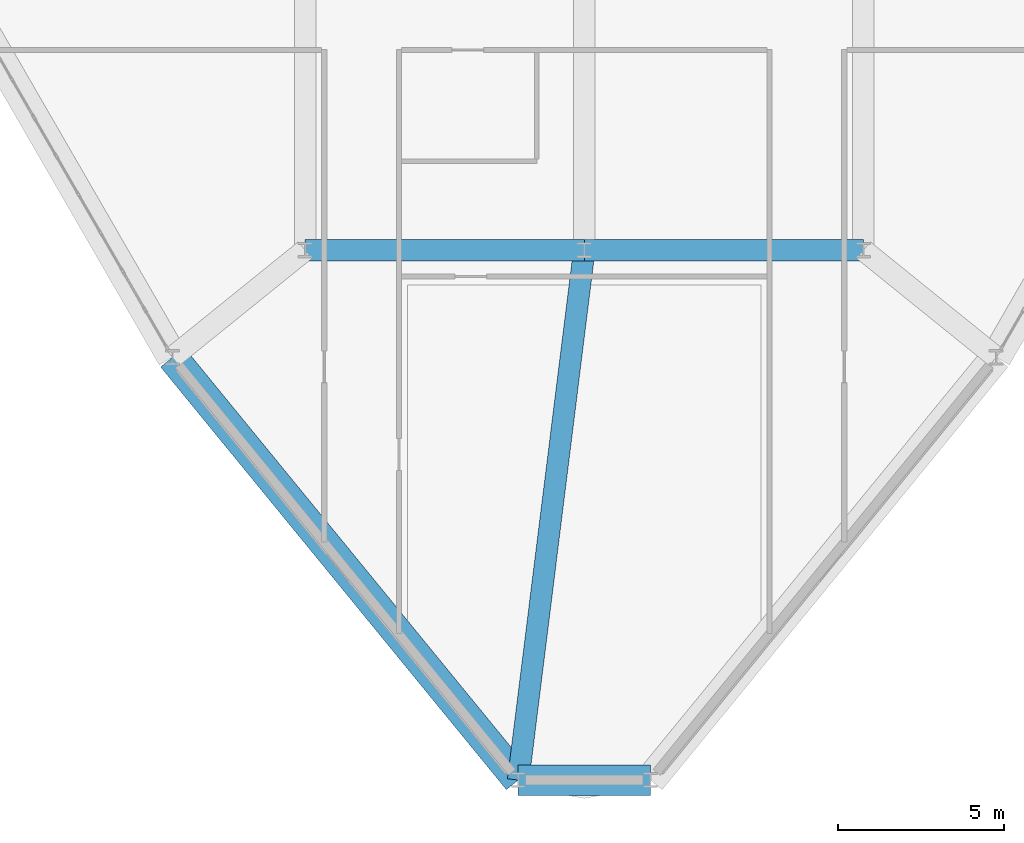
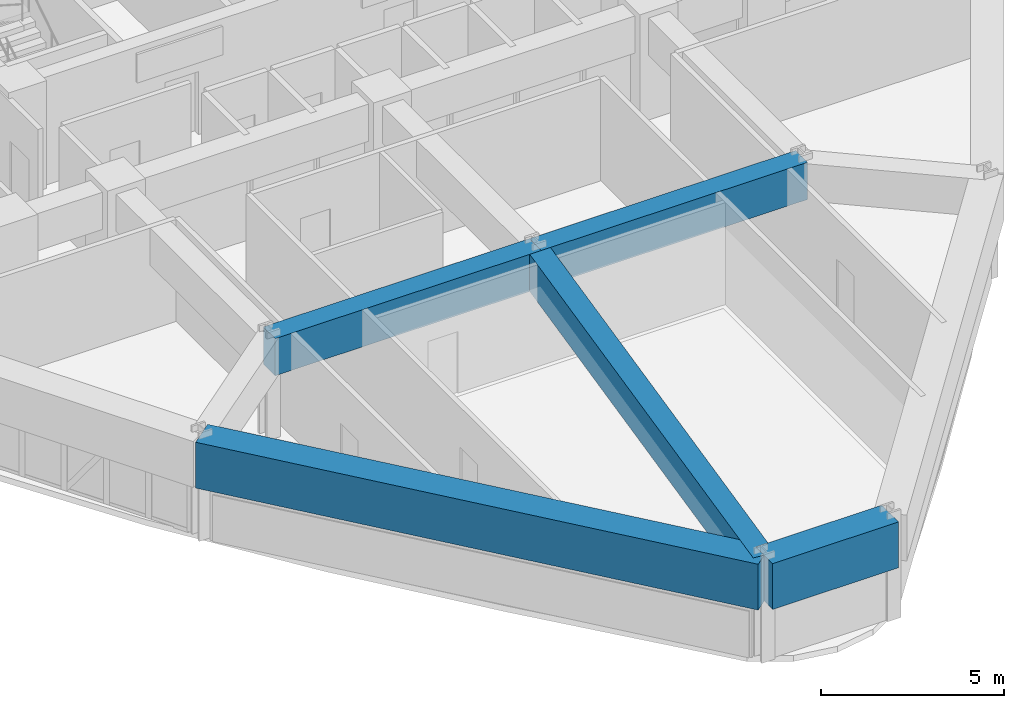
# One storey, part 3 of 15: 5 beams.
"""IFC4 building model written with IfcOpenShell, lengths in metres."""

from ifc_helpers import new_model, si_unit, derived_unit, direction, frame, origin, origin_2d, place, context, subcontext, project, spatial, rectangle, extrude, source, transform, mapped, material, material_profile, profile_set, type_object, element, save


model = new_model("IFC4")

# Units and contexts
model_context = context("Model", 3, precision=1e-05, world=origin(), true_north=direction((0.0, 1.0)))
body_context = subcontext(model_context, "Body", "Model", "MODEL_VIEW")
ifc_project = project(units=[si_unit("LENGTHUNIT", "METRE"), si_unit("AREAUNIT", "SQUARE_METRE"), si_unit("VOLUMEUNIT", "CUBIC_METRE"), si_unit("PLANEANGLEUNIT", "RADIAN"), si_unit("MASSUNIT", "GRAM", prefix="KILO"), derived_unit("THERMALTRANSMITTANCEUNIT", [(si_unit("POWERUNIT", "WATT"), 1), (si_unit("LENGTHUNIT", "METRE"), -2), (si_unit("THERMODYNAMICTEMPERATUREUNIT", "KELVIN"), -1)])], contexts=[model_context])

# Site, building, storey
site_placement = place(None, origin())
site = spatial("IfcSite", under=ifc_project, at=site_placement, CompositionType="ELEMENT")
building_placement = place(site_placement, origin())
building = spatial("IfcBuilding", under=site, at=building_placement, Name="Korsvarv Bourse and Concert Hall", CompositionType="ELEMENT")
storey_placement = place(building_placement, frame((0.0, 0.0, 113.39990234375)))
storey = spatial("IfcBuildingStorey", under=building, at=storey_placement, Name="L28", CompositionType="ELEMENT", Elevation=113.39990234375)

# Beams
ifc_material = material(Name="Concrete C50/60", Category="concrete")
ifc_material_profile_1 = material_profile(ifc_material, rectangle(XDim=0.64990234375, YDim=1.239990234375, at=origin_2d()), Name="RC-BM 650x1240")
ifc_profile_set_1 = profile_set([ifc_material_profile_1], Name="Concrete C50/60")
beam_type_1 = type_object("IfcBeamType", Name="BM-TR-SPN", PredefinedType="BEAM", material=ifc_profile_set_1)
shared_shape_1 = source(origin(), body_context, "Body", "SweptSolid", [
    extrude(rectangle(XDim=0.64990234375, YDim=1.239990234375, at=origin_2d()), origin(), (0.0, 0.0, 1.0), 8.39990234375),
])
for number, where, z_axis, x_axis, name in (
    (1, (27.60009765625, 24.0, 2.780029296875), (1.0, 0.0, 0.0), (0.0, 1.0, 0.0), "L28 beam B-TRS"),
    (2, (36.0, 24.0, 2.780029296875), (1.0, 0.0, 0.0), (0.0, 1.0, 0.0), "L28 beam B-TRS"),
):
    element("IfcBeam", number, at=place(storey_placement, frame(where, z_axis=z_axis, x_axis=x_axis)), inside=storey, type_object=beam_type_1, Name=name, PredefinedType="BEAM", context=body_context, shape_type="MappedRepresentation", body=[
        mapped(shared_shape_1, transform((0.0, 0.0, 0.0), scale=1.0)),
    ])
ifc_material_profile_2 = material_profile(ifc_material, rectangle(XDim=0.919921875, YDim=1.530029296875, at=origin_2d()), Name="RC-BM 920x1530")
ifc_profile_set_2 = profile_set([ifc_material_profile_2], Name="Concrete C50/60")
beam_type_2 = type_object("IfcBeamType", Name="BM-TR-154", PredefinedType="BEAM", material=ifc_profile_set_2)
shared_shape_2 = source(origin(), body_context, "Body", "SweptSolid", [
    extrude(rectangle(XDim=0.919921875, YDim=1.530029296875, at=origin_2d()), origin(), (0.0, 0.0, 1.0), 3.974609375),
])
beam_1_placement = place(storey_placement, frame((34.0126953125, 8.054931640625, 2.635009765625), z_axis=(1.0, 0.0, 0.0), x_axis=(0.0, 1.0, 0.0)))
element("IfcBeam", 3, at=beam_1_placement, inside=storey, type_object=beam_type_2, Name="L28 beam B-TR6", PredefinedType="BEAM", context=body_context, shape_type="MappedRepresentation", body=[
    mapped(shared_shape_2, transform((0.0, 0.0, 0.0), scale=1.0)),
])
shared_shape_3 = source(origin(), body_context, "Body", "SweptSolid", [
    extrude(rectangle(XDim=0.919921875, YDim=1.530029296875, at=origin_2d()), origin(), (0.0, 0.0, 1.0), 16.4345703125),
])
beam_2_placement = place(storey_placement, frame((23.607177734375, 20.77587890625, 2.635009765625), z_axis=(0.633145565553, -0.774032746607, 0.0), x_axis=(0.774032746607, 0.633145565553, 0.0)))
element("IfcBeam", 4, at=beam_2_placement, inside=storey, type_object=beam_type_2, Name="L28 beam B-TR6", PredefinedType="BEAM", context=body_context, shape_type="MappedRepresentation", body=[
    mapped(shared_shape_3, transform((0.0, 0.0, 0.0), scale=1.0)),
])
shared_shape_4 = source(origin(), body_context, "Body", "SweptSolid", [
    extrude(rectangle(XDim=0.64990234375, YDim=1.239990234375, at=origin_2d()), origin(), (0.0, 0.0, 1.0), 16.068359375),
])
beam_3_placement = place(storey_placement, frame((34.0126953125, 8.054931640625, 2.780029296875), z_axis=(0.123677555311, 0.992322458837, 0.0), x_axis=(-0.992322458837, 0.123677555311, 0.0)))
element("IfcBeam", 5, at=beam_3_placement, inside=storey, type_object=beam_type_1, Name="L28 beam B-TRS", PredefinedType="BEAM", context=body_context, shape_type="MappedRepresentation", body=[
    mapped(shared_shape_4, transform((0.0, 0.0, 0.0), scale=1.0)),
])

save(model, "model.ifc")
